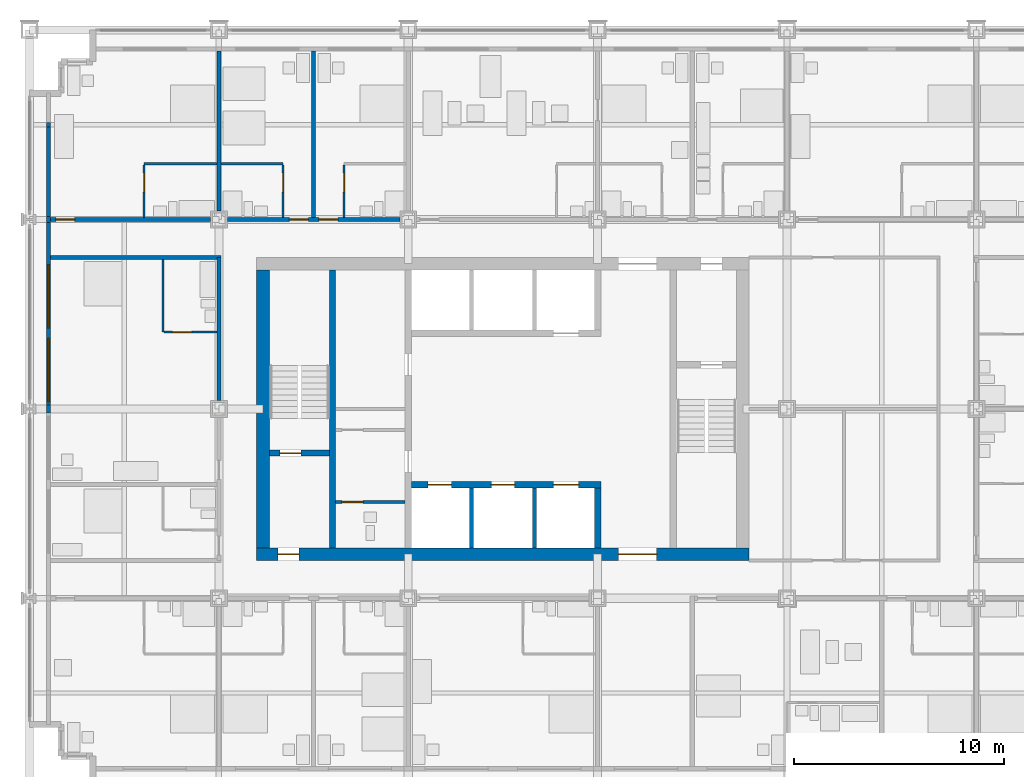
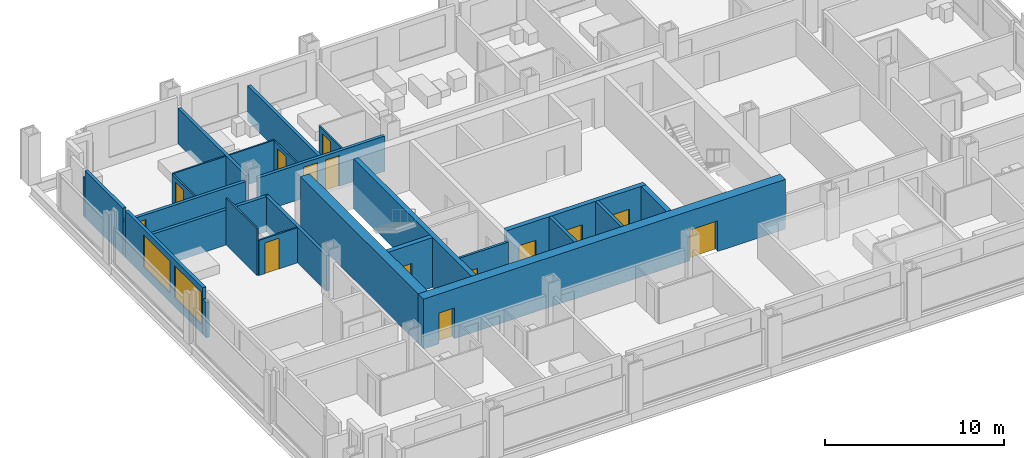
# One storey, part 11 of 18: 27 walls, 14 doors, 2 windows, 16 openings.
"""IFC4 building model written with IfcOpenShell, lengths in metres."""

from ifc_helpers import new_model, si_unit, direction, frame, frame_2d, origin, place, context, subcontext, project, spatial, rectangle, extrude, material, layer, layer_set, type_object, element, fill, save


model = new_model("IFC4")

# Units and contexts
model_context = context("Model", 3, precision=1e-05, world=origin(), true_north=direction((0.0, 1.0)))
body_context = subcontext(model_context, "Body", "Model", "MODEL_VIEW")
ifc_project = project(units=[si_unit("LENGTHUNIT", "METRE"), si_unit("AREAUNIT", "SQUARE_METRE"), si_unit("VOLUMEUNIT", "CUBIC_METRE"), si_unit("PLANEANGLEUNIT", "RADIAN"), si_unit("MASSUNIT", "GRAM", prefix="KILO")], contexts=[model_context])

# Site, building, storey
site_placement = place(None, origin())
site = spatial("IfcSite", under=ifc_project, at=site_placement, CompositionType="ELEMENT")
building_placement = place(site_placement, origin())
building = spatial("IfcBuilding", under=site, at=building_placement, Name="Loomwork Tower", CompositionType="ELEMENT")
storey_placement = place(building_placement, frame((0.0, 0.0, 31.39990234375)))
storey = spatial("IfcBuildingStorey", under=building, at=storey_placement, Name="L06", CompositionType="ELEMENT", Elevation=31.39990234375)

# Wall
ifc_material_1 = material(Name="Concrete 14000 psi (97 MPa)", Category="concrete")
ifc_layer_1 = layer(ifc_material_1, 0.300048828125)
ifc_layer_set_1 = layer_set([ifc_layer_1], Name="Core shear wall 300")
wall_type_1 = type_object("IfcWallType", Name="Core shear wall 300", PredefinedType="SHEAR", material=ifc_layer_set_1)
wall_1_placement = place(storey_placement, frame((14.39990234375, 11.39990234375, 0.0), z_axis=(0.0, 0.0, 1.0), x_axis=(0.0, 1.0, 0.0)))
element("IfcWall", 1, at=wall_1_placement, inside=storey, type_object=wall_type_1, Name="Stair A east wall L06", PredefinedType="SHEAR", context=body_context, shape_type="SweptSolid", body=[
    extrude(rectangle(XDim=13.2001953125, YDim=0.300048828125, at=frame_2d((6.60009765625, 0.0))), origin(), (0.0, 0.0, 1.0), 3.400146484375),
])

# Wall, opening, door
wall_2_placement = place(storey_placement, frame((11.39990234375, 15.89990234375, 0.0), z_axis=(0.0, 0.0, 1.0), x_axis=(1.0, 0.0, 0.0)))
wall_2 = element("IfcWall", 2, at=wall_2_placement, inside=storey, type_object=wall_type_1, Name="Stair A south wall L06", PredefinedType="SHEAR", context=body_context, shape_type="SweptSolid", body=[
    extrude(rectangle(XDim=2.85009765625, YDim=0.300048828125, at=frame_2d((1.425048828125, 0.0))), origin(), (0.0, 0.0, 1.0), 3.400146484375),
])
opening_1_placement = place(wall_2_placement, frame((0.5, 0.0, 0.0)))
opening_1 = element("IfcOpeningElement", 3, at=opening_1_placement, cuts=wall_2, Name="Opening D4", PredefinedType="OPENING", context=body_context, shape_type="SweptSolid", body=[
    extrude(rectangle(XDim=1.0, YDim=2.10009765625, at=frame_2d((0.5, 1.050048828125))), frame((0.0, 0.159912109375, 0.0), z_axis=(0.0, -1.0, 0.0), x_axis=(1.0, 0.0, 0.0)), (0.0, 0.0, 1.0), 0.320068359375),
])
ifc_material_2 = material(Name="Hollow metal door and frame")
door_type_1 = type_object("IfcDoorType", Name="Stair door 1000", OperationType="SINGLE_SWING_RIGHT", PredefinedType="DOOR", material=ifc_material_2)
door_1_placement = place(opening_1_placement, origin())
door_1 = element("IfcDoor", 4, at=door_1_placement, inside=storey, type_object=door_type_1, Name="Stair A door", OperationType="SINGLE_SWING_LEFT", OverallHeight=2.10009765625, OverallWidth=1.0, PredefinedType="DOOR", context=body_context, shape_type="SweptSolid", body=[
    extrude(rectangle(XDim=1.0, YDim=2.10009765625, at=frame_2d((0.5, 1.050048828125))), frame((0.0, 0.02490234375, 0.0), z_axis=(0.0, -1.0, 0.0), x_axis=(1.0, 0.0, 0.0)), (0.0, 0.0, 1.0), 0.050048828125),
])
fill(opening_1, door_1)

# Wall, openings, doors
wall_3_placement = place(storey_placement, frame((18.14990234375, 14.39990234375, 0.0), z_axis=(0.0, 0.0, 1.0), x_axis=(1.0, 0.0, 0.0)))
wall_3 = element("IfcWall", 5, at=wall_3_placement, inside=storey, type_object=wall_type_1, Name="Lift front wall south L06", PredefinedType="SHEAR", context=body_context, shape_type="SweptSolid", body=[
    extrude(rectangle(XDim=9.0, YDim=0.300048828125, at=frame_2d((4.5, 0.0))), origin(), (0.0, 0.0, 1.0), 3.400146484375),
])
opening_2_placement = place(wall_3_placement, frame((0.800048828125, 0.0, 0.0)))
opening_2 = element("IfcOpeningElement", 6, at=opening_2_placement, cuts=wall_3, Name="Opening LD1", PredefinedType="OPENING", context=body_context, shape_type="SweptSolid", body=[
    extrude(rectangle(XDim=1.10009765625, YDim=2.10009765625, at=frame_2d((0.550048828125, 1.050048828125))), frame((0.0, 0.159912109375, 0.0), z_axis=(0.0, -1.0, 0.0), x_axis=(1.0, 0.0, 0.0)), (0.0, 0.0, 1.0), 0.320068359375),
])
opening_3_placement = place(wall_3_placement, frame((3.800048828125, 0.0, 0.0)))
opening_3 = element("IfcOpeningElement", 7, at=opening_3_placement, cuts=wall_3, Name="Opening LD1", PredefinedType="OPENING", context=body_context, shape_type="SweptSolid", body=[
    extrude(rectangle(XDim=1.10009765625, YDim=2.10009765625, at=frame_2d((0.550048828125, 1.050048828125))), frame((0.0, 0.159912109375, 0.0), z_axis=(0.0, -1.0, 0.0), x_axis=(1.0, 0.0, 0.0)), (0.0, 0.0, 1.0), 0.320068359375),
])
opening_4_placement = place(wall_3_placement, frame((6.75, 0.0, 0.0)))
opening_4 = element("IfcOpeningElement", 8, at=opening_4_placement, cuts=wall_3, Name="Opening LD2", PredefinedType="OPENING", context=body_context, shape_type="SweptSolid", body=[
    extrude(rectangle(XDim=1.199951171875, YDim=2.10009765625, at=frame_2d((0.60009765625, 1.050048828125))), frame((0.0, 0.159912109375, 0.0), z_axis=(0.0, -1.0, 0.0), x_axis=(1.0, 0.0, 0.0)), (0.0, 0.0, 1.0), 0.320068359375),
])
ifc_material_3 = material(Name="Hollow metal door and frame")
door_type_2 = type_object("IfcDoorType", Name="Lift landing door 1100", OperationType="SLIDING_TO_LEFT", PredefinedType="DOOR", material=ifc_material_3)
door_2_placement = place(opening_2_placement, origin())
door_2 = element("IfcDoor", 9, at=door_2_placement, inside=storey, type_object=door_type_2, Name="Lift landing door LA1", OperationType="SLIDING_TO_LEFT", OverallHeight=2.10009765625, OverallWidth=1.10009765625, PredefinedType="DOOR", context=body_context, shape_type="SweptSolid", body=[
    extrude(rectangle(XDim=1.10009765625, YDim=2.10009765625, at=frame_2d((0.550048828125, 1.050048828125))), frame((0.0, 0.02490234375, 0.0), z_axis=(0.0, -1.0, 0.0), x_axis=(1.0, 0.0, 0.0)), (0.0, 0.0, 1.0), 0.050048828125),
])
fill(opening_2, door_2)
door_3_placement = place(opening_3_placement, origin())
door_3 = element("IfcDoor", 10, at=door_3_placement, inside=storey, type_object=door_type_2, Name="Lift landing door LA2", OperationType="SLIDING_TO_LEFT", OverallHeight=2.10009765625, OverallWidth=1.10009765625, PredefinedType="DOOR", context=body_context, shape_type="SweptSolid", body=[
    extrude(rectangle(XDim=1.10009765625, YDim=2.10009765625, at=frame_2d((0.550048828125, 1.050048828125))), frame((0.0, 0.02490234375, 0.0), z_axis=(0.0, -1.0, 0.0), x_axis=(1.0, 0.0, 0.0)), (0.0, 0.0, 1.0), 0.050048828125),
])
fill(opening_3, door_3)
ifc_material_4 = material(Name="Hollow metal door and frame")
door_type_3 = type_object("IfcDoorType", Name="Lift landing door 1200", OperationType="SLIDING_TO_LEFT", PredefinedType="DOOR", material=ifc_material_4)
door_4_placement = place(opening_4_placement, origin())
door_4 = element("IfcDoor", 11, at=door_4_placement, inside=storey, type_object=door_type_3, Name="Lift landing door LF1", OperationType="SLIDING_TO_LEFT", OverallHeight=2.10009765625, OverallWidth=1.199951171875, PredefinedType="DOOR", context=body_context, shape_type="SweptSolid", body=[
    extrude(rectangle(XDim=1.199951171875, YDim=2.10009765625, at=frame_2d((0.60009765625, 1.050048828125))), frame((0.0, 0.02490234375, 0.0), z_axis=(0.0, -1.0, 0.0), x_axis=(1.0, 0.0, 0.0)), (0.0, 0.0, 1.0), 0.050048828125),
])
fill(opening_4, door_4)

# Wall
wall_4_placement = place(storey_placement, frame((27.0, 11.39990234375, 0.0), z_axis=(0.0, 0.0, 1.0), x_axis=(0.0, 1.0, 0.0)))
element("IfcWall", 12, at=wall_4_placement, inside=storey, type_object=wall_type_1, Name="Lift shaft end wall south L06", PredefinedType="SHEAR", context=body_context, shape_type="SweptSolid", body=[
    extrude(rectangle(XDim=2.85009765625, YDim=0.300048828125, at=frame_2d((1.425048828125, 0.0))), origin(), (0.0, 0.0, 1.0), 3.400146484375),
])

# Wall, openings, doors
ifc_material_5 = material(Name="Concrete 14000 psi (97 MPa)", Category="concrete")
ifc_layer_2 = layer(ifc_material_5, 0.60009765625)
ifc_layer_set_2 = layer_set([ifc_layer_2], Name="Core shear wall 600")
wall_type_2 = type_object("IfcWallType", Name="Core shear wall 600", PredefinedType="SHEAR", material=ifc_layer_set_2)
wall_5_placement = place(storey_placement, frame((10.800048828125, 11.10009765625, 0.0), z_axis=(0.0, 0.0, 1.0), x_axis=(1.0, 0.0, 0.0)))
wall_5 = element("IfcWall", 13, at=wall_5_placement, inside=storey, type_object=wall_type_2, Name="Core wall south L06", PredefinedType="SHEAR", context=body_context, shape_type="SweptSolid", body=[
    extrude(rectangle(XDim=23.39990234375, YDim=0.60009765625, at=frame_2d((11.699951171875, 0.0))), origin(), (0.0, 0.0, 1.0), 3.400146484375),
])
opening_5_placement = place(wall_5_placement, frame((1.0, 0.0, 0.0)))
opening_5 = element("IfcOpeningElement", 14, at=opening_5_placement, cuts=wall_5, Name="Opening D4", PredefinedType="OPENING", context=body_context, shape_type="SweptSolid", body=[
    extrude(rectangle(XDim=1.0, YDim=2.10009765625, at=frame_2d((0.5, 1.050048828125))), frame((0.0, 0.31005859375, 0.0), z_axis=(0.0, -1.0, 0.0), x_axis=(1.0, 0.0, 0.0)), (0.0, 0.0, 1.0), 0.6201171875),
])
opening_6_placement = place(wall_5_placement, frame((17.199951171875, 0.0, 0.0)))
opening_6 = element("IfcOpeningElement", 15, at=opening_6_placement, cuts=wall_5, Name="Opening D6", PredefinedType="OPENING", context=body_context, shape_type="SweptSolid", body=[
    extrude(rectangle(XDim=1.800048828125, YDim=2.10009765625, at=frame_2d((0.89990234375, 1.050048828125))), frame((0.0, 0.31005859375, 0.0), z_axis=(0.0, -1.0, 0.0), x_axis=(1.0, 0.0, 0.0)), (0.0, 0.0, 1.0), 0.6201171875),
])
ifc_material_6 = material(Name="Hollow metal door and frame")
door_type_4 = type_object("IfcDoorType", Name="Lobby passage double door 1800", OperationType="DOUBLE_DOOR_SINGLE_SWING", PredefinedType="DOOR", material=ifc_material_6)
door_5_placement = place(opening_6_placement, origin())
door_5 = element("IfcDoor", 16, at=door_5_placement, inside=storey, type_object=door_type_4, Name="Lobby passage door south", OperationType="DOUBLE_DOOR_SINGLE_SWING", OverallHeight=2.10009765625, OverallWidth=1.800048828125, PredefinedType="DOOR", context=body_context, shape_type="SweptSolid", body=[
    extrude(rectangle(XDim=1.800048828125, YDim=2.10009765625, at=frame_2d((0.89990234375, 1.050048828125))), frame((0.0, 0.02490234375, 0.0), z_axis=(0.0, -1.0, 0.0), x_axis=(1.0, 0.0, 0.0)), (0.0, 0.0, 1.0), 0.050048828125),
])
fill(opening_6, door_5)
door_6_placement = place(opening_5_placement, origin())
door_6 = element("IfcDoor", 17, at=door_6_placement, inside=storey, type_object=door_type_1, Name="Stair A vestibule door", OperationType="SINGLE_SWING_LEFT", OverallHeight=2.10009765625, OverallWidth=1.0, PredefinedType="DOOR", context=body_context, shape_type="SweptSolid", body=[
    extrude(rectangle(XDim=1.0, YDim=2.10009765625, at=frame_2d((0.5, 1.050048828125))), frame((0.0, 0.02490234375, 0.0), z_axis=(0.0, -1.0, 0.0), x_axis=(1.0, 0.0, 0.0)), (0.0, 0.0, 1.0), 0.050048828125),
])
fill(opening_5, door_6)

# Wall
wall_6_placement = place(storey_placement, frame((11.10009765625, 11.39990234375, 0.0), z_axis=(0.0, 0.0, 1.0), x_axis=(0.0, 1.0, 0.0)))
element("IfcWall", 18, at=wall_6_placement, inside=storey, type_object=wall_type_2, Name="Core wall west L06", PredefinedType="SHEAR", context=body_context, shape_type="SweptSolid", body=[
    extrude(rectangle(XDim=13.2001953125, YDim=0.60009765625, at=frame_2d((6.60009765625, 0.0))), origin(), (0.0, 0.0, 1.0), 3.400146484375),
])

# Wall, opening, door
ifc_material_7 = material(Name="Gypsum board on steel studs, one-hour", Category="steel")
ifc_layer_3 = layer(ifc_material_7, 0.199951171875)
ifc_layer_set_3 = layer_set([ifc_layer_3], Name="Corridor wall 200")
wall_type_3 = type_object("IfcWallType", Name="Corridor wall 200", PredefinedType="PARTITIONING", material=ifc_layer_set_3)
wall_7_placement = place(storey_placement, frame((1.0, 27.0, 0.0), z_axis=(0.0, 0.0, 1.0), x_axis=(1.0, 0.0, 0.0)))
wall_7 = element("IfcWall", 19, at=wall_7_placement, inside=storey, type_object=wall_type_3, Name="North corridor wall 1", PredefinedType="PARTITIONING", context=body_context, shape_type="SweptSolid", body=[
    extrude(rectangle(XDim=7.60009765625, YDim=0.199951171875, at=frame_2d((3.800048828125, 0.0))), origin(), (0.0, 0.0, 1.0), 2.43798828125),
])
opening_7_placement = place(wall_7_placement, frame((0.25, 0.0, 0.0)))
opening_7 = element("IfcOpeningElement", 20, at=opening_7_placement, cuts=wall_7, Name="Opening D1", PredefinedType="OPENING", context=body_context, shape_type="SweptSolid", body=[
    extrude(rectangle(XDim=0.89990234375, YDim=2.10009765625, at=frame_2d((0.449951171875, 1.050048828125))), frame((0.0, 0.10986328125, 0.0), z_axis=(0.0, -1.0, 0.0), x_axis=(1.0, 0.0, 0.0)), (0.0, 0.0, 1.0), 0.219970703125),
])
ifc_material_8 = material(Name="Hollow metal door and frame")
door_type_5 = type_object("IfcDoorType", Name="Guest room entry door 900", OperationType="SINGLE_SWING_LEFT", PredefinedType="DOOR", material=ifc_material_8)
door_7_placement = place(opening_7_placement, origin())
door_7 = element("IfcDoor", 21, at=door_7_placement, inside=storey, type_object=door_type_5, Name="Guest room entry door L06 8", OperationType="SINGLE_SWING_LEFT", OverallHeight=2.10009765625, OverallWidth=0.89990234375, PredefinedType="DOOR", context=body_context, shape_type="SweptSolid", body=[
    extrude(rectangle(XDim=0.89990234375, YDim=2.10009765625, at=frame_2d((0.449951171875, 1.050048828125))), frame((0.0, 0.02490234375, 0.0), z_axis=(0.0, -1.0, 0.0), x_axis=(1.0, 0.0, 0.0)), (0.0, 0.0, 1.0), 0.050048828125),
])
fill(opening_7, door_7)

# Wall, openings, doors
wall_8_placement = place(storey_placement, frame((9.39990234375, 27.0, 0.0), z_axis=(0.0, 0.0, 1.0), x_axis=(1.0, 0.0, 0.0)))
wall_8 = element("IfcWall", 22, at=wall_8_placement, inside=storey, type_object=wall_type_3, Name="North corridor wall 2", PredefinedType="PARTITIONING", context=body_context, shape_type="SweptSolid", body=[
    extrude(rectangle(XDim=8.2001953125, YDim=0.199951171875, at=frame_2d((4.10009765625, 0.0))), origin(), (0.0, 0.0, 1.0), 2.405029296875),
])
opening_8_placement = place(wall_8_placement, frame((2.949951171875, 0.0, 0.0)))
opening_8 = element("IfcOpeningElement", 23, at=opening_8_placement, cuts=wall_8, Name="Opening D1", PredefinedType="OPENING", context=body_context, shape_type="SweptSolid", body=[
    extrude(rectangle(XDim=0.89990234375, YDim=2.10009765625, at=frame_2d((0.449951171875, 1.050048828125))), frame((0.0, 0.10986328125, 0.0), z_axis=(0.0, -1.0, 0.0), x_axis=(1.0, 0.0, 0.0)), (0.0, 0.0, 1.0), 0.219970703125),
])
opening_9_placement = place(wall_8_placement, frame((4.35009765625, 0.0, 0.0)))
opening_9 = element("IfcOpeningElement", 24, at=opening_9_placement, cuts=wall_8, Name="Opening D1", PredefinedType="OPENING", context=body_context, shape_type="SweptSolid", body=[
    extrude(rectangle(XDim=0.89990234375, YDim=2.10009765625, at=frame_2d((0.449951171875, 1.050048828125))), frame((0.0, 0.10986328125, 0.0), z_axis=(0.0, -1.0, 0.0), x_axis=(1.0, 0.0, 0.0)), (0.0, 0.0, 1.0), 0.219970703125),
])
door_8_placement = place(opening_8_placement, origin())
door_8 = element("IfcDoor", 25, at=door_8_placement, inside=storey, type_object=door_type_5, Name="Guest room entry door L06 9", OperationType="SINGLE_SWING_RIGHT", OverallHeight=2.10009765625, OverallWidth=0.89990234375, PredefinedType="DOOR", context=body_context, shape_type="SweptSolid", body=[
    extrude(rectangle(XDim=0.89990234375, YDim=2.10009765625, at=frame_2d((0.449951171875, 1.050048828125))), frame((0.0, 0.02490234375, 0.0), z_axis=(0.0, -1.0, 0.0), x_axis=(1.0, 0.0, 0.0)), (0.0, 0.0, 1.0), 0.050048828125),
])
fill(opening_8, door_8)
door_9_placement = place(opening_9_placement, origin())
door_9 = element("IfcDoor", 26, at=door_9_placement, inside=storey, type_object=door_type_5, Name="Guest room entry door L06 10", OperationType="SINGLE_SWING_LEFT", OverallHeight=2.10009765625, OverallWidth=0.89990234375, PredefinedType="DOOR", context=body_context, shape_type="SweptSolid", body=[
    extrude(rectangle(XDim=0.89990234375, YDim=2.10009765625, at=frame_2d((0.449951171875, 1.050048828125))), frame((0.0, 0.02490234375, 0.0), z_axis=(0.0, -1.0, 0.0), x_axis=(1.0, 0.0, 0.0)), (0.0, 0.0, 1.0), 0.050048828125),
])
fill(opening_9, door_9)

# Walls
wall_9_placement = place(storey_placement, frame((9.0, 18.39990234375, 0.0), z_axis=(0.0, 0.0, 1.0), x_axis=(0.0, 1.0, 0.0)))
element("IfcWall", 27, at=wall_9_placement, inside=storey, type_object=wall_type_3, Name="West corridor wall 2", PredefinedType="PARTITIONING", context=body_context, shape_type="SweptSolid", body=[
    extrude(rectangle(XDim=6.800048828125, YDim=0.199951171875, at=frame_2d((3.39990234375, 0.0))), origin(), (0.0, 0.0, 1.0), 2.405029296875),
])
wall_10_placement = place(storey_placement, frame((1.0, 25.199951171875, 0.0), z_axis=(0.0, 0.0, 1.0), x_axis=(1.0, 0.0, 0.0)))
element("IfcWall", 28, at=wall_10_placement, inside=storey, type_object=wall_type_3, Name="West band end wall N", PredefinedType="PARTITIONING", context=body_context, shape_type="SweptSolid", body=[
    extrude(rectangle(XDim=8.10009765625, YDim=0.199951171875, at=frame_2d((4.050048828125, 0.0))), origin(), (0.0, 0.0, 1.0), 2.404052734375),
])
ifc_material_9 = material(Name="Cement board on steel studs", Category="steel")
ifc_layer_4 = layer(ifc_material_9, 0.10009765625)
ifc_layer_set_4 = layer_set([ifc_layer_4], Name="En-suite partition 100")
wall_type_4 = type_object("IfcWallType", Name="En-suite partition 100", PredefinedType="PARTITIONING", material=ifc_layer_set_4)
wall_11_placement = place(storey_placement, frame((5.449951171875, 29.64990234375, 0.0), z_axis=(0.0, 0.0, 1.0), x_axis=(1.0, 0.0, 0.0)))
element("IfcWall", 29, at=wall_11_placement, inside=storey, type_object=wall_type_4, Name="En-suite wall L06 room 8", PredefinedType="PARTITIONING", context=body_context, shape_type="SweptSolid", body=[
    extrude(rectangle(XDim=3.449951171875, YDim=0.10009765625, at=frame_2d((1.72509765625, 0.0))), origin(), (0.0, 0.0, 1.0), 2.43798828125),
])

# Wall, opening, door
wall_12_placement = place(storey_placement, frame((5.449951171875, 27.10009765625, 0.0), z_axis=(0.0, 0.0, 1.0), x_axis=(0.0, 1.0, 0.0)))
wall_12 = element("IfcWall", 30, at=wall_12_placement, inside=storey, type_object=wall_type_4, Name="En-suite side wall L06 room 8", PredefinedType="PARTITIONING", context=body_context, shape_type="SweptSolid", body=[
    extrude(rectangle(XDim=2.5, YDim=0.10009765625, at=frame_2d((1.25, 0.0))), origin(), (0.0, 0.0, 1.0), 2.43798828125),
])
opening_10_placement = place(wall_12_placement, frame((1.199951171875, 0.0, 0.0)))
opening_10 = element("IfcOpeningElement", 31, at=opening_10_placement, cuts=wall_12, Name="Opening D2", PredefinedType="OPENING", context=body_context, shape_type="SweptSolid", body=[
    extrude(rectangle(XDim=0.89990234375, YDim=2.10009765625, at=frame_2d((0.449951171875, 1.050048828125))), frame((0.0, 0.06005859375, 0.0), z_axis=(0.0, -1.0, 0.0), x_axis=(1.0, 0.0, 0.0)), (0.0, 0.0, 1.0), 0.1201171875),
])
ifc_material_10 = material(Name="Hollow metal door and frame")
door_type_6 = type_object("IfcDoorType", Name="En-suite door 900", OperationType="SINGLE_SWING_LEFT", PredefinedType="DOOR", material=ifc_material_10)
door_10_placement = place(opening_10_placement, frame((0.89990234375, 0.0, 0.0), z_axis=(0.0, 0.0, 1.0), x_axis=(-1.0, 0.0, 0.0)))
door_10 = element("IfcDoor", 32, at=door_10_placement, inside=storey, type_object=door_type_6, Name="En-suite door room 8", OperationType="SINGLE_SWING_LEFT", OverallHeight=2.10009765625, OverallWidth=0.89990234375, PredefinedType="DOOR", context=body_context, shape_type="SweptSolid", body=[
    extrude(rectangle(XDim=0.89990234375, YDim=2.10009765625, at=frame_2d((0.449951171875, 1.050048828125))), frame((0.0, 0.02490234375, 0.0), z_axis=(0.0, -1.0, 0.0), x_axis=(1.0, 0.0, 0.0)), (0.0, 0.0, 1.0), 0.050048828125),
])
fill(opening_10, door_10)

# Wall
wall_13_placement = place(storey_placement, frame((9.10009765625, 29.64990234375, 0.0), z_axis=(0.0, 0.0, 1.0), x_axis=(1.0, 0.0, 0.0)))
element("IfcWall", 33, at=wall_13_placement, inside=storey, type_object=wall_type_4, Name="En-suite wall L06 room 9", PredefinedType="PARTITIONING", context=body_context, shape_type="SweptSolid", body=[
    extrude(rectangle(XDim=2.949951171875, YDim=0.10009765625, at=frame_2d((1.47509765625, 0.0))), origin(), (0.0, 0.0, 1.0), 2.43798828125),
])

# Wall, opening, door
wall_14_placement = place(storey_placement, frame((12.050048828125, 27.10009765625, 0.0), z_axis=(0.0, 0.0, 1.0), x_axis=(0.0, 1.0, 0.0)))
wall_14 = element("IfcWall", 34, at=wall_14_placement, inside=storey, type_object=wall_type_4, Name="En-suite side wall L06 room 9", PredefinedType="PARTITIONING", context=body_context, shape_type="SweptSolid", body=[
    extrude(rectangle(XDim=2.5, YDim=0.10009765625, at=frame_2d((1.25, 0.0))), origin(), (0.0, 0.0, 1.0), 2.404052734375),
])
opening_11_placement = place(wall_14_placement, frame((1.199951171875, 0.0, 0.0)))
opening_11 = element("IfcOpeningElement", 35, at=opening_11_placement, cuts=wall_14, Name="Opening D2", PredefinedType="OPENING", context=body_context, shape_type="SweptSolid", body=[
    extrude(rectangle(XDim=0.89990234375, YDim=2.10009765625, at=frame_2d((0.449951171875, 1.050048828125))), frame((0.0, 0.06005859375, 0.0), z_axis=(0.0, -1.0, 0.0), x_axis=(1.0, 0.0, 0.0)), (0.0, 0.0, 1.0), 0.1201171875),
])
door_11_placement = place(opening_11_placement, origin())
door_11 = element("IfcDoor", 36, at=door_11_placement, inside=storey, type_object=door_type_6, Name="En-suite door room 9", OperationType="SINGLE_SWING_RIGHT", OverallHeight=2.10009765625, OverallWidth=0.89990234375, PredefinedType="DOOR", context=body_context, shape_type="SweptSolid", body=[
    extrude(rectangle(XDim=0.89990234375, YDim=2.10009765625, at=frame_2d((0.449951171875, 1.050048828125))), frame((0.0, 0.02490234375, 0.0), z_axis=(0.0, -1.0, 0.0), x_axis=(1.0, 0.0, 0.0)), (0.0, 0.0, 1.0), 0.050048828125),
])
fill(opening_11, door_11)

wall_15_placement = place(storey_placement, frame((14.949951171875, 27.10009765625, 0.0), z_axis=(0.0, 0.0, 1.0), x_axis=(0.0, 1.0, 0.0)))
wall_15 = element("IfcWall", 37, at=wall_15_placement, inside=storey, type_object=wall_type_4, Name="En-suite side wall L06 room 10", PredefinedType="PARTITIONING", context=body_context, shape_type="SweptSolid", body=[
    extrude(rectangle(XDim=2.5, YDim=0.10009765625, at=frame_2d((1.25, 0.0))), origin(), (0.0, 0.0, 1.0), 2.404052734375),
])
opening_12_placement = place(wall_15_placement, frame((1.199951171875, 0.0, 0.0)))
opening_12 = element("IfcOpeningElement", 38, at=opening_12_placement, cuts=wall_15, Name="Opening D2", PredefinedType="OPENING", context=body_context, shape_type="SweptSolid", body=[
    extrude(rectangle(XDim=0.89990234375, YDim=2.10009765625, at=frame_2d((0.449951171875, 1.050048828125))), frame((0.0, 0.06005859375, 0.0), z_axis=(0.0, -1.0, 0.0), x_axis=(1.0, 0.0, 0.0)), (0.0, 0.0, 1.0), 0.1201171875),
])
door_12_placement = place(opening_12_placement, frame((0.89990234375, 0.0, 0.0), z_axis=(0.0, 0.0, 1.0), x_axis=(-1.0, 0.0, 0.0)))
door_12 = element("IfcDoor", 39, at=door_12_placement, inside=storey, type_object=door_type_6, Name="En-suite door room 10", OperationType="SINGLE_SWING_LEFT", OverallHeight=2.10009765625, OverallWidth=0.89990234375, PredefinedType="DOOR", context=body_context, shape_type="SweptSolid", body=[
    extrude(rectangle(XDim=0.89990234375, YDim=2.10009765625, at=frame_2d((0.449951171875, 1.050048828125))), frame((0.0, 0.02490234375, 0.0), z_axis=(0.0, -1.0, 0.0), x_axis=(1.0, 0.0, 0.0)), (0.0, 0.0, 1.0), 0.050048828125),
])
fill(opening_12, door_12)

# Wall
wall_16_placement = place(storey_placement, frame((6.35009765625, 21.64990234375, 0.0), z_axis=(0.0, 0.0, 1.0), x_axis=(0.0, 1.0, 0.0)))
element("IfcWall", 40, at=wall_16_placement, inside=storey, type_object=wall_type_4, Name="En-suite wall L06 room 17", PredefinedType="PARTITIONING", context=body_context, shape_type="SweptSolid", body=[
    extrude(rectangle(XDim=3.4501953125, YDim=0.10009765625, at=frame_2d((1.72509765625, 0.0))), origin(), (0.0, 0.0, 1.0), 3.2001953125),
])

# Wall, opening, door
wall_17_placement = place(storey_placement, frame((8.89990234375, 21.64990234375, 0.0), z_axis=(0.0, 0.0, 1.0), x_axis=(-1.0, 0.0, 0.0)))
wall_17 = element("IfcWall", 41, at=wall_17_placement, inside=storey, type_object=wall_type_4, Name="En-suite side wall L06 room 17", PredefinedType="PARTITIONING", context=body_context, shape_type="SweptSolid", body=[
    extrude(rectangle(XDim=2.5, YDim=0.10009765625, at=frame_2d((1.25, 0.0))), origin(), (0.0, 0.0, 1.0), 2.404052734375),
])
opening_13_placement = place(wall_17_placement, frame((1.199951171875, 0.0, 0.0)))
opening_13 = element("IfcOpeningElement", 42, at=opening_13_placement, cuts=wall_17, Name="Opening D2", PredefinedType="OPENING", context=body_context, shape_type="SweptSolid", body=[
    extrude(rectangle(XDim=0.89990234375, YDim=2.10009765625, at=frame_2d((0.449951171875, 1.050048828125))), frame((0.0, 0.06005859375, 0.0), z_axis=(0.0, -1.0, 0.0), x_axis=(1.0, 0.0, 0.0)), (0.0, 0.0, 1.0), 0.1201171875),
])
door_13_placement = place(opening_13_placement, frame((0.89990234375, 0.0, 0.0), z_axis=(0.0, 0.0, 1.0), x_axis=(-1.0, 0.0, 0.0)))
door_13 = element("IfcDoor", 43, at=door_13_placement, inside=storey, type_object=door_type_6, Name="En-suite door room 17", OperationType="SINGLE_SWING_LEFT", OverallHeight=2.10009765625, OverallWidth=0.89990234375, PredefinedType="DOOR", context=body_context, shape_type="SweptSolid", body=[
    extrude(rectangle(XDim=0.89990234375, YDim=2.10009765625, at=frame_2d((0.449951171875, 1.050048828125))), frame((0.0, 0.02490234375, 0.0), z_axis=(0.0, -1.0, 0.0), x_axis=(1.0, 0.0, 0.0)), (0.0, 0.0, 1.0), 0.050048828125),
])
fill(opening_13, door_13)

# Walls
ifc_material_11 = material(Name="Gypsum board on steel studs, acoustic", Category="steel")
ifc_layer_5 = layer(ifc_material_11, 0.199951171875)
ifc_layer_set_5 = layer_set([ifc_layer_5], Name="Guest room party wall 200")
wall_type_5 = type_object("IfcWallType", Name="Guest room party wall 200", PredefinedType="PARTITIONING", material=ifc_layer_set_5)
wall_18_placement = place(storey_placement, frame((9.0, 27.39990234375, 0.0), z_axis=(0.0, 0.0, 1.0), x_axis=(0.0, 1.0, 0.0)))
element("IfcWall", 44, at=wall_18_placement, inside=storey, type_object=wall_type_5, Name="Guest room party wall N 9", PredefinedType="PARTITIONING", context=body_context, shape_type="SweptSolid", body=[
    extrude(rectangle(XDim=7.60009765625, YDim=0.199951171875, at=frame_2d((3.800048828125, 0.0))), origin(), (0.0, 0.0, 1.0), 2.43798828125),
])
wall_19_placement = place(storey_placement, frame((13.5, 27.10009765625, 0.0), z_axis=(0.0, 0.0, 1.0), x_axis=(0.0, 1.0, 0.0)))
element("IfcWall", 45, at=wall_19_placement, inside=storey, type_object=wall_type_5, Name="Guest room party wall N 13.5", PredefinedType="PARTITIONING", context=body_context, shape_type="SweptSolid", body=[
    extrude(rectangle(XDim=7.89990234375, YDim=0.199951171875, at=frame_2d((3.949951171875, 0.0))), origin(), (0.0, 0.0, 1.0), 2.404052734375),
])
ifc_material_12 = material(Name="Insulated steel stud wall with gypsum lining", Category="steel")
ifc_layer_6 = layer(ifc_material_12, 0.199951171875)
ifc_layer_set_6 = layer_set([ifc_layer_6], Name="Inner skin wall 200")
wall_type_6 = type_object("IfcWallType", Name="Inner skin wall 200", PredefinedType="SOLIDWALL", material=ifc_layer_set_6)
wall_20_placement = place(storey_placement, frame((0.89990234375, 17.80615234375, 0.0), z_axis=(0.0, 0.0, 1.0), x_axis=(0.0, 1.0, 0.0)))
element("IfcWall", 46, at=wall_20_placement, inside=storey, type_object=wall_type_6, Name="Inner skin wall W bay 6", PredefinedType="SOLIDWALL", context=body_context, shape_type="SweptSolid", body=[
    extrude(rectangle(XDim=0.3876953125, YDim=0.199951171875, at=frame_2d((0.19384765625, 0.0))), origin(), (0.0, 0.0, 1.0), 2.404052734375),
])

# Wall, openings, windows
wall_21_placement = place(storey_placement, frame((0.89990234375, 18.19384765625, 0.0), z_axis=(0.0, 0.0, 1.0), x_axis=(0.0, 1.0, 0.0)))
wall_21 = element("IfcWall", 47, at=wall_21_placement, inside=storey, type_object=wall_type_6, Name="Inner skin wall W bay 7", PredefinedType="SOLIDWALL", context=body_context, shape_type="SweptSolid", body=[
    extrude(rectangle(XDim=8.6708984375, YDim=0.199951171875, at=frame_2d((4.33544921875, 0.0))), origin(), (0.0, 0.0, 1.0), 3.2001953125),
])
opening_14_placement = place(wall_21_placement, frame((0.15625, 0.0, 0.60009765625)))
opening_14 = element("IfcOpeningElement", 48, at=opening_14_placement, cuts=wall_21, Name="Opening CH1", PredefinedType="OPENING", context=body_context, shape_type="SweptSolid", body=[
    extrude(rectangle(XDim=3.0, YDim=2.199951171875, at=frame_2d((1.5, 1.10009765625))), frame((0.0, 0.10986328125, 0.0), z_axis=(0.0, -1.0, 0.0), x_axis=(1.0, 0.0, 0.0)), (0.0, 0.0, 1.0), 0.219970703125),
])
opening_15_placement = place(wall_21_placement, frame((3.65625, 0.0, 0.60009765625)))
opening_15 = element("IfcOpeningElement", 49, at=opening_15_placement, cuts=wall_21, Name="Opening CH1", PredefinedType="OPENING", context=body_context, shape_type="SweptSolid", body=[
    extrude(rectangle(XDim=3.0, YDim=2.199951171875, at=frame_2d((1.5, 1.10009765625))), frame((0.0, 0.10986328125, 0.0), z_axis=(0.0, -1.0, 0.0), x_axis=(1.0, 0.0, 0.0)), (0.0, 0.0, 1.0), 0.219970703125),
])
ifc_material_13 = material(Name="Aluminium frame with clear insulated glass", Category="aluminium")
window_type = type_object("IfcWindowType", Name="Chicago window 3000", PartitioningType="TRIPLE_PANEL_VERTICAL", PredefinedType="WINDOW", material=ifc_material_13)
window_1_placement = place(opening_14_placement, origin())
window_1 = element("IfcWindow", 50, at=window_1_placement, inside=storey, type_object=window_type, Name="Chicago window L06 bay 14", OverallHeight=2.199951171875, OverallWidth=3.0, PartitioningType="TRIPLE_PANEL_VERTICAL", PredefinedType="WINDOW", context=body_context, shape_type="SweptSolid", body=[
    extrude(rectangle(XDim=3.0, YDim=2.199951171875, at=frame_2d((1.5, 1.10009765625))), frame((0.0, 0.030029296875, 0.0), z_axis=(0.0, -1.0, 0.0), x_axis=(1.0, 0.0, 0.0)), (0.0, 0.0, 1.0), 0.06005859375),
])
fill(opening_14, window_1)
window_2_placement = place(opening_15_placement, origin())
window_2 = element("IfcWindow", 51, at=window_2_placement, inside=storey, type_object=window_type, Name="Chicago window L06 bay 14", OverallHeight=2.199951171875, OverallWidth=3.0, PartitioningType="TRIPLE_PANEL_VERTICAL", PredefinedType="WINDOW", context=body_context, shape_type="SweptSolid", body=[
    extrude(rectangle(XDim=3.0, YDim=2.199951171875, at=frame_2d((1.5, 1.10009765625))), frame((0.0, 0.030029296875, 0.0), z_axis=(0.0, -1.0, 0.0), x_axis=(1.0, 0.0, 0.0)), (0.0, 0.0, 1.0), 0.06005859375),
])
fill(opening_15, window_2)

# Walls
wall_22_placement = place(storey_placement, frame((0.89990234375, 26.86474609375, 0.0), z_axis=(0.0, 0.0, 1.0), x_axis=(0.0, 1.0, 0.0)))
element("IfcWall", 52, at=wall_22_placement, inside=storey, type_object=wall_type_6, Name="Inner skin wall W bay 8", PredefinedType="SOLIDWALL", context=body_context, shape_type="SweptSolid", body=[
    extrude(rectangle(XDim=0.2705078125, YDim=0.199951171875, at=frame_2d((0.13525390625, 0.0))), origin(), (0.0, 0.0, 1.0), 2.43798828125),
])
wall_23_placement = place(storey_placement, frame((0.89990234375, 27.13525390625, 0.0), z_axis=(0.0, 0.0, 1.0), x_axis=(0.0, 1.0, 0.0)))
element("IfcWall", 53, at=wall_23_placement, inside=storey, type_object=wall_type_6, Name="Inner skin wall W bay 9", PredefinedType="SOLIDWALL", context=body_context, shape_type="SweptSolid", body=[
    extrude(rectangle(XDim=4.25732421875, YDim=0.199951171875, at=frame_2d((2.128662109375, 0.0))), origin(), (0.0, 0.0, 1.0), 3.2001953125),
])
wall_24_placement = place(storey_placement, frame((0.89990234375, 31.392578125, 0.0), z_axis=(0.0, 0.0, 1.0), x_axis=(0.0, 1.0, 0.0)))
element("IfcWall", 54, at=wall_24_placement, inside=storey, type_object=wall_type_6, Name="Inner skin wall W bay 10", PredefinedType="SOLIDWALL", context=body_context, shape_type="SweptSolid", body=[
    extrude(rectangle(XDim=0.21484375, YDim=0.199951171875, at=frame_2d((0.107421875, 0.0))), origin(), (0.0, 0.0, 1.0), 2.6611328125),
])
ifc_material_14 = material(Name="Concrete 14000 psi (97 MPa)", Category="concrete")
ifc_layer_7 = layer(ifc_material_14, 0.199951171875)
ifc_layer_set_7 = layer_set([ifc_layer_7], Name="Lift shaft wall 200")
wall_type_7 = type_object("IfcWallType", Name="Lift shaft wall 200", PredefinedType="SHEAR", material=ifc_layer_set_7)
for number, where, z_axis, x_axis, name in (
    (55, (21.0, 11.39990234375, 0.0), (0.0, 0.0, 1.0), (0.0, 1.0, 0.0), "Lift shaft separation wall south 1 L06"),
    (56, (24.0, 11.39990234375, 0.0), (0.0, 0.0, 1.0), (0.0, 1.0, 0.0), "Lift shaft separation wall south 2 L06"),
):
    element("IfcWall", number, at=place(storey_placement, frame(where, z_axis=z_axis, x_axis=x_axis)), inside=storey, type_object=wall_type_7, Name=name, PredefinedType="SHEAR", context=body_context, shape_type="SweptSolid", body=[
        extrude(rectangle(XDim=2.85009765625, YDim=0.199951171875, at=frame_2d((1.425048828125, 0.0))), origin(), (0.0, 0.0, 1.0), 3.400146484375),
    ])

# Wall, opening, door
ifc_material_15 = material(Name="Gypsum board on steel studs, one-hour", Category="steel")
ifc_layer_8 = layer(ifc_material_15, 0.14990234375)
ifc_layer_set_8 = layer_set([ifc_layer_8], Name="Service partition 150")
wall_type_8 = type_object("IfcWallType", Name="Service partition 150", PredefinedType="PARTITIONING", material=ifc_layer_set_8)
wall_25_placement = place(storey_placement, frame((14.550048828125, 13.574951171875, 0.0), z_axis=(0.0, 0.0, 1.0), x_axis=(1.0, 0.0, 0.0)))
wall_25 = element("IfcWall", 57, at=wall_25_placement, inside=storey, type_object=wall_type_8, Name="Back-of-house partition L06", PredefinedType="PARTITIONING", context=body_context, shape_type="SweptSolid", body=[
    extrude(rectangle(XDim=3.300048828125, YDim=0.14990234375, at=frame_2d((1.64990234375, 0.0))), origin(), (0.0, 0.0, 1.0), 3.2001953125),
])
opening_16_placement = place(wall_25_placement, frame((0.300048828125, 0.0, 0.0)))
opening_16 = element("IfcOpeningElement", 58, at=opening_16_placement, cuts=wall_25, Name="Opening D5", PredefinedType="OPENING", context=body_context, shape_type="SweptSolid", body=[
    extrude(rectangle(XDim=1.0, YDim=2.10009765625, at=frame_2d((0.5, 1.050048828125))), frame((0.0, 0.0849609375, 0.0), z_axis=(0.0, -1.0, 0.0), x_axis=(1.0, 0.0, 0.0)), (0.0, 0.0, 1.0), 0.169921875),
])
ifc_material_16 = material(Name="Hollow metal door and frame")
door_type_7 = type_object("IfcDoorType", Name="Service door 1000", OperationType="SINGLE_SWING_LEFT", PredefinedType="DOOR", material=ifc_material_16)
door_14_placement = place(opening_16_placement, frame((1.0, 0.0, 0.0), z_axis=(0.0, 0.0, 1.0), x_axis=(-1.0, 0.0, 0.0)))
door_14 = element("IfcDoor", 59, at=door_14_placement, inside=storey, type_object=door_type_7, Name="Back-of-house room door", OperationType="SINGLE_SWING_RIGHT", OverallHeight=2.10009765625, OverallWidth=1.0, PredefinedType="DOOR", context=body_context, shape_type="SweptSolid", body=[
    extrude(rectangle(XDim=1.0, YDim=2.10009765625, at=frame_2d((0.5, 1.050048828125))), frame((0.0, 0.02490234375, 0.0), z_axis=(0.0, -1.0, 0.0), x_axis=(1.0, 0.0, 0.0)), (0.0, 0.0, 1.0), 0.050048828125),
])
fill(opening_16, door_14)

save(model, "model.ifc")
